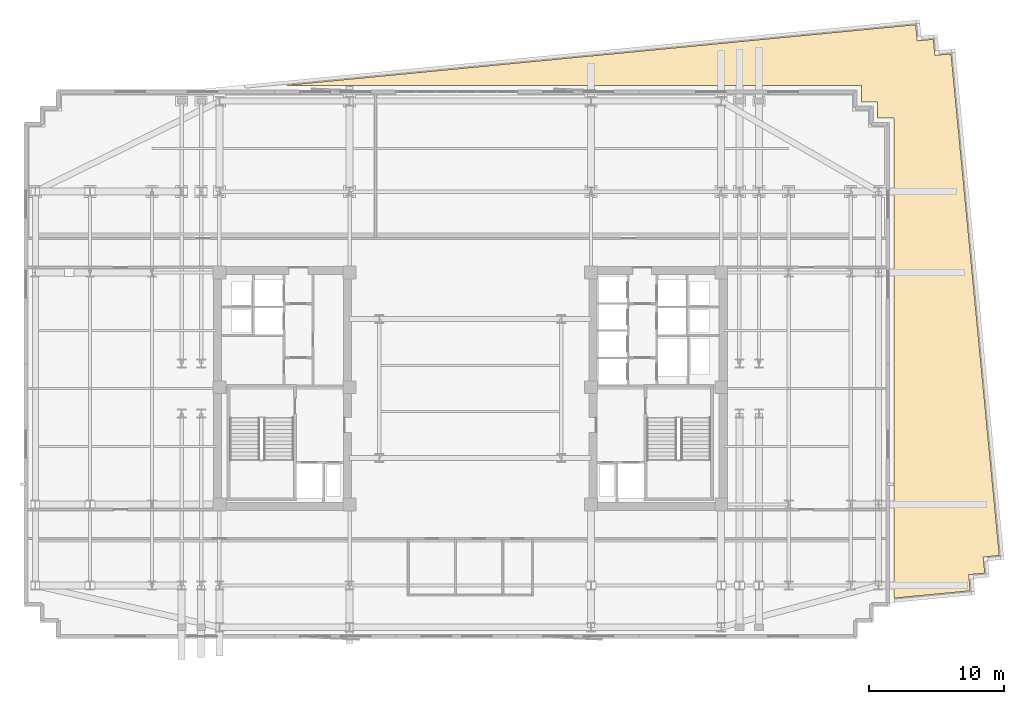
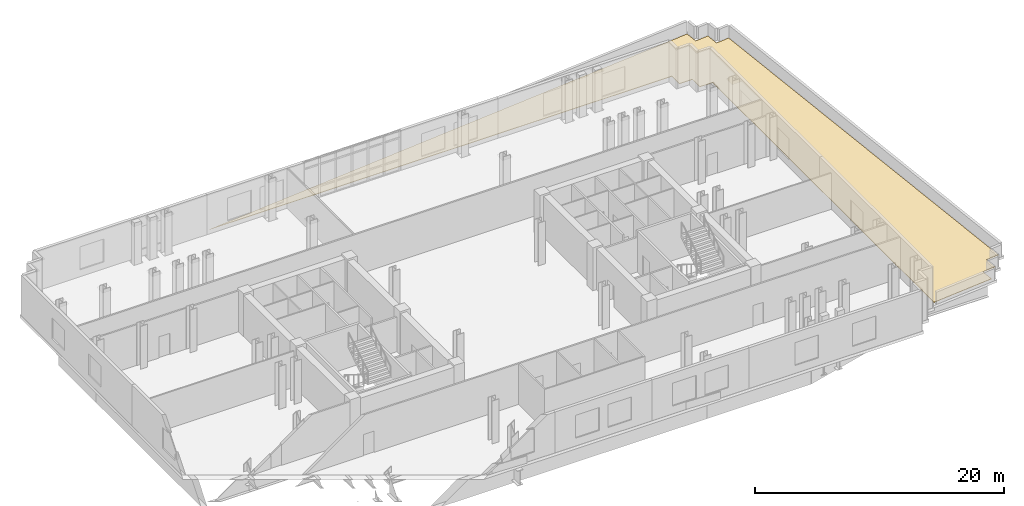
# One storey, part 12 of 14: 1 covering.
"""IFC4 building model written with IfcOpenShell, lengths in metres."""

from ifc_helpers import new_model, si_unit, direction, frame, origin, place, context, subcontext, project, spatial, polyline, outline, extrude, material, layer, layer_set, type_object, element, save


model = new_model("IFC4")

# Units and contexts
model_context = context("Model", 3, precision=1e-05, world=origin(), true_north=direction((0.0, 1.0)))
body_context = subcontext(model_context, "Body", "Model", "MODEL_VIEW")
ifc_project = project(units=[si_unit("LENGTHUNIT", "METRE"), si_unit("AREAUNIT", "SQUARE_METRE"), si_unit("VOLUMEUNIT", "CUBIC_METRE"), si_unit("PLANEANGLEUNIT", "RADIAN"), si_unit("MASSUNIT", "GRAM", prefix="KILO")], contexts=[model_context])

# Site, building, storey
site_placement = place(None, origin())
site = spatial("IfcSite", under=ifc_project, at=site_placement, CompositionType="ELEMENT")
building_placement = place(site_placement, origin())
building = spatial("IfcBuilding", under=site, at=building_placement, Name="Velakula Bourse", CompositionType="ELEMENT")
storey_placement = place(building_placement, frame((0.0, 0.0, 116.64990234375)))
storey = spatial("IfcBuildingStorey", under=building, at=storey_placement, Name="L31", CompositionType="ELEMENT", Elevation=116.64990234375)

# Covering
ifc_material = material(Name="Modified bitumen SBS waterproofing membrane", Category="bitumen")
ifc_layer = layer(ifc_material, 0.044921875, Name="Modified bitumen SBS waterproofing membrane", Category="bitumen")
ifc_layer_set = layer_set([ifc_layer], Name="Modified bitumen SBS waterproofing membrane")
covering_type = type_object("IfcCoveringType", Name="COV-ROOF-SBS-45", PredefinedType="ROOFING", material=ifc_layer_set)
covering_placement = place(storey_placement, origin())
element("IfcCovering", 1, at=covering_placement, inside=storey, type_object=covering_type, Name="L31 SBS Waterproofing Roof Membrane 1", PredefinedType="ROOFING", context=body_context, shape_type="SweptSolid", body=[
    extrude(outline(polyline([(29.0, 21.25), (29.0, 22.449951171875), (-13.940673828125, 22.449951171875), (33.01611328125, 26.971435546875), (33.131103515625, 25.77685546875), (34.325439453125, 25.89208984375), (34.4404296875, 24.697509765625), (35.635009765625, 24.8125), (39.2158203125, -12.37548828125), (38.021240234375, -12.490478515625), (38.13623046875, -13.68505859375), (36.94189453125, -13.800048828125), (37.056884765625, -14.994384765625), (31.39990234375, -15.539306640625), (31.39990234375, 20.050048828125), (30.199951171875, 20.050048828125), (30.199951171875, 21.25), (29.0, 21.25)])), origin(), (0.0, 0.0, 1.0), 0.045166015625),
])

save(model, "model.ifc")
